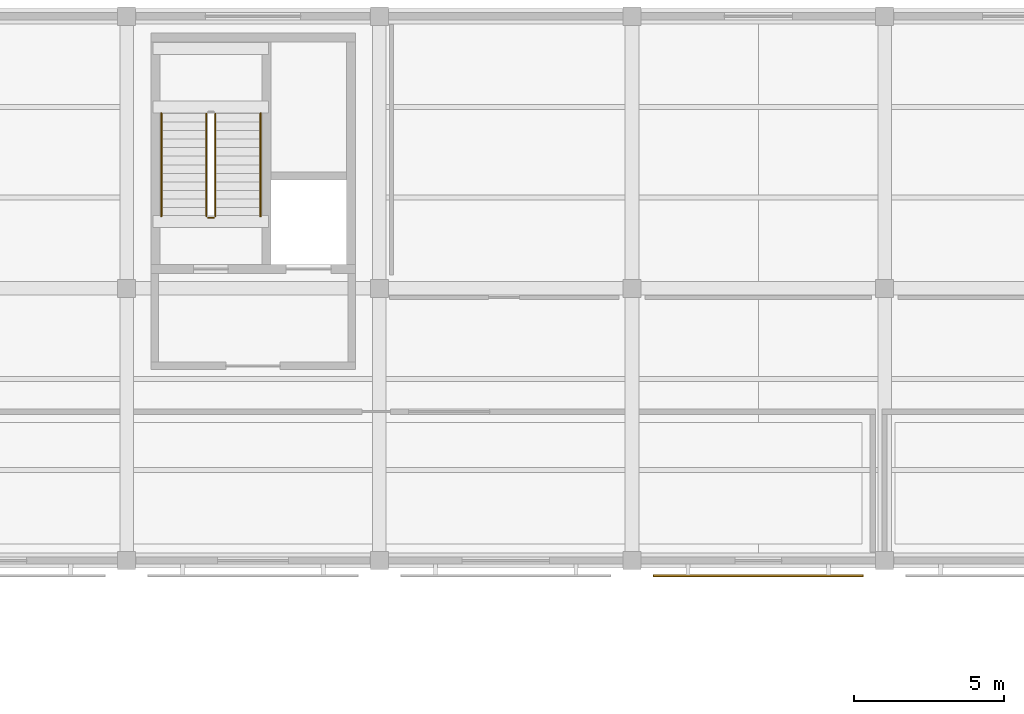
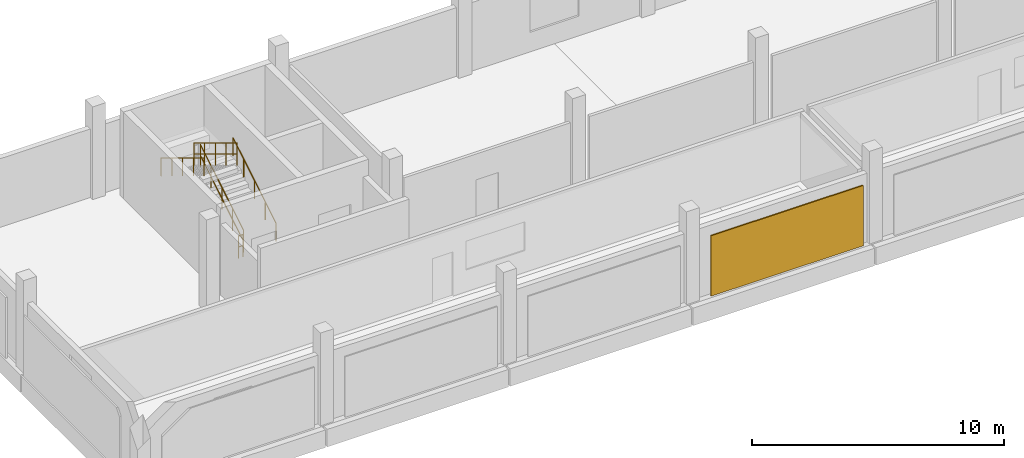
# One storey, part 31 of 34: 5 railings, 1 shading device.
"""IFC4 building model written with IfcOpenShell, lengths in metres."""

from ifc_helpers import new_model, si_unit, direction, frame, origin, origin_2d, place, context, subcontext, project, spatial, rectangle, circle, extrude, material, layer, layer_set, type_object, element, save


model = new_model("IFC4")

# Units and contexts
model_context = context("Model", 3, precision=1e-05, world=origin(), true_north=direction((0.0, 1.0)))
body_context = subcontext(model_context, "Body", "Model", "MODEL_VIEW")
ifc_project = project(units=[si_unit("LENGTHUNIT", "METRE"), si_unit("AREAUNIT", "SQUARE_METRE"), si_unit("VOLUMEUNIT", "CUBIC_METRE"), si_unit("PLANEANGLEUNIT", "RADIAN"), si_unit("MASSUNIT", "GRAM", prefix="KILO")], contexts=[model_context])

# Site, building, storey
site_placement = place(None, origin())
site = spatial("IfcSite", under=ifc_project, at=site_placement, CompositionType="ELEMENT")
building_placement = place(site_placement, origin())
building = spatial("IfcBuilding", under=site, at=building_placement, Name="Khurvash Pelagic Aquarium", CompositionType="ELEMENT")
storey_placement = place(building_placement, frame((0.0, 0.0, 15.60009765625)))
storey = spatial("IfcBuildingStorey", under=building, at=storey_placement, Name="L03", CompositionType="ELEMENT", Elevation=15.60009765625)

# Railings
ifc_material_1 = material(Name="Powder-coated galvanised steel S355J2", Category="steel")
railing_type_1 = type_object("IfcRailingType", Name="GR-01", PredefinedType="GUARDRAIL", material=ifc_material_1)
railing_1_placement = place(storey_placement, frame((70.14990234375, 95.5, 0.173095703125)))
element("IfcRailing", 1, at=railing_1_placement, inside=storey, type_object=railing_type_1, Name="L03 ST-04 stair guard 1", PredefinedType="GUARDRAIL", context=body_context, shape_type="SweptSolid", body=[
    extrude(circle(Radius=0.02392578125, at=origin_2d()), frame((0.0, 0.0, 1.076171875), z_axis=(0.0, 0.854729506542, 0.519073665916), x_axis=(-1.0, 0.0, 0.0)), (0.0, 0.0, 1.0), 4.001220703125),
    extrude(circle(Radius=0.02392578125, at=origin_2d()), frame((0.0, 0.0, 0.5380859375), z_axis=(0.0, 0.854729506542, 0.519073665916), x_axis=(-1.0, 0.0, 0.0)), (0.0, 0.0, 1.0), 4.001220703125),
    extrude(circle(Radius=0.02099609375, at=origin_2d()), origin(), (0.0, 0.0, 1.0), 1.052001953125),
    extrude(circle(Radius=0.02099609375, at=origin_2d()), frame((0.0, 0.85498046875, 0.519287109375)), (0.0, 0.0, 1.0), 1.052001953125),
    extrude(circle(Radius=0.02099609375, at=origin_2d()), frame((0.0, 1.7099609375, 1.03857421875)), (0.0, 0.0, 1.0), 1.052001953125),
    extrude(circle(Radius=0.02099609375, at=origin_2d()), frame((0.0, 2.56494140625, 1.5576171875)), (0.0, 0.0, 1.0), 1.052001953125),
    extrude(circle(Radius=0.02099609375, at=origin_2d()), frame((0.0, 3.419921875, 2.076904296875)), (0.0, 0.0, 1.0), 1.052001953125),
])
railing_2_placement = place(storey_placement, frame((69.85009765625, 98.919921875, 2.423095703125)))
element("IfcRailing", 2, at=railing_2_placement, inside=storey, type_object=railing_type_1, Name="L03 ST-04 stair guard 3", PredefinedType="GUARDRAIL", context=body_context, shape_type="SweptSolid", body=[
    extrude(circle(Radius=0.02392578125, at=origin_2d()), frame((0.0, 0.0, 1.076171875), z_axis=(0.0, -0.854729506542, 0.519073665916), x_axis=(1.0, 0.0, 0.0)), (0.0, 0.0, 1.0), 4.001220703125),
    extrude(circle(Radius=0.02392578125, at=origin_2d()), frame((0.0, 0.0, 0.5380859375), z_axis=(0.0, -0.854729506542, 0.519073665916), x_axis=(1.0, 0.0, 0.0)), (0.0, 0.0, 1.0), 4.001220703125),
    extrude(circle(Radius=0.02099609375, at=origin_2d()), origin(), (0.0, 0.0, 1.0), 1.052001953125),
    extrude(circle(Radius=0.02099609375, at=origin_2d()), frame((0.0, -0.85498046875, 0.519287109375)), (0.0, 0.0, 1.0), 1.052001953125),
    extrude(circle(Radius=0.02099609375, at=origin_2d()), frame((0.0, -1.7099609375, 1.03857421875)), (0.0, 0.0, 1.0), 1.052001953125),
    extrude(circle(Radius=0.02099609375, at=origin_2d()), frame((0.0, -2.56494140625, 1.5576171875)), (0.0, 0.0, 1.0), 1.052001953125),
    extrude(circle(Radius=0.02099609375, at=origin_2d()), frame((0.0, -3.419921875, 2.076904296875)), (0.0, 0.0, 1.0), 1.052001953125),
])
railing_3_placement = place(storey_placement, frame((70.10009765625, 95.449951171875, 0.0)))
element("IfcRailing", 3, at=railing_3_placement, inside=storey, type_object=railing_type_1, Name="L03 ST-04 stair guard 4", PredefinedType="GUARDRAIL", context=body_context, shape_type="SweptSolid", body=[
    extrude(circle(Radius=0.02392578125, at=origin_2d()), frame((0.0, 0.0, 1.076171875), z_axis=(-1.0, 0.0, 0.0), x_axis=(0.0, -1.0, 0.0)), (0.0, 0.0, 1.0), 0.2001953125),
    extrude(circle(Radius=0.02392578125, at=origin_2d()), frame((0.0, 0.0, 0.5380859375), z_axis=(-1.0, 0.0, 0.0), x_axis=(0.0, -1.0, 0.0)), (0.0, 0.0, 1.0), 0.2001953125),
    extrude(circle(Radius=0.02099609375, at=origin_2d()), origin(), (0.0, 0.0, 1.0), 1.052001953125),
    extrude(circle(Radius=0.02099609375, at=origin_2d()), frame((-0.2001953125, 0.0, 0.0)), (0.0, 0.0, 1.0), 1.052001953125),
])
ifc_material_2 = material(Name="Brushed stainless steel 316", Category="steel")
railing_type_2 = type_object("IfcRailingType", Name="HR-01", PredefinedType="HANDRAIL", material=ifc_material_2)
railing_4_placement = place(storey_placement, frame((71.64990234375, 95.5, 0.173095703125)))
element("IfcRailing", 4, at=railing_4_placement, inside=storey, type_object=railing_type_2, Name="L03 ST-04 stair handrail 1", PredefinedType="HANDRAIL", context=body_context, shape_type="SweptSolid", body=[
    extrude(circle(Radius=0.02392578125, at=origin_2d()), frame((0.0, 0.0, 0.8759765625), z_axis=(0.0, 0.854729506542, 0.519073665916), x_axis=(-1.0, 0.0, 0.0)), (0.0, 0.0, 1.0), 4.001220703125),
    extrude(circle(Radius=0.02099609375, at=origin_2d()), origin(), (0.0, 0.0, 1.0), 0.851806640625),
    extrude(circle(Radius=0.02099609375, at=origin_2d()), frame((0.0, 0.85498046875, 0.519287109375)), (0.0, 0.0, 1.0), 0.851806640625),
    extrude(circle(Radius=0.02099609375, at=origin_2d()), frame((0.0, 1.7099609375, 1.03857421875)), (0.0, 0.0, 1.0), 0.851806640625),
    extrude(circle(Radius=0.02099609375, at=origin_2d()), frame((0.0, 2.56494140625, 1.5576171875)), (0.0, 0.0, 1.0), 0.851806640625),
    extrude(circle(Radius=0.02099609375, at=origin_2d()), frame((0.0, 3.419921875, 2.076904296875)), (0.0, 0.0, 1.0), 0.851806640625),
])
railing_5_placement = place(storey_placement, frame((68.35009765625, 98.919921875, 2.423095703125)))
element("IfcRailing", 5, at=railing_5_placement, inside=storey, type_object=railing_type_2, Name="L03 ST-04 stair handrail 2", PredefinedType="HANDRAIL", context=body_context, shape_type="SweptSolid", body=[
    extrude(circle(Radius=0.02392578125, at=origin_2d()), frame((0.0, 0.0, 0.8759765625), z_axis=(0.0, -0.854729506542, 0.519073665916), x_axis=(1.0, 0.0, 0.0)), (0.0, 0.0, 1.0), 4.001220703125),
    extrude(circle(Radius=0.02099609375, at=origin_2d()), origin(), (0.0, 0.0, 1.0), 0.851806640625),
    extrude(circle(Radius=0.02099609375, at=origin_2d()), frame((0.0, -0.85498046875, 0.519287109375)), (0.0, 0.0, 1.0), 0.851806640625),
    extrude(circle(Radius=0.02099609375, at=origin_2d()), frame((0.0, -1.7099609375, 1.03857421875)), (0.0, 0.0, 1.0), 0.851806640625),
    extrude(circle(Radius=0.02099609375, at=origin_2d()), frame((0.0, -2.56494140625, 1.5576171875)), (0.0, 0.0, 1.0), 0.851806640625),
    extrude(circle(Radius=0.02099609375, at=origin_2d()), frame((0.0, -3.419921875, 2.076904296875)), (0.0, 0.0, 1.0), 0.851806640625),
])

# Shading device
ifc_material_3 = material(Name="Perforated anodised aluminium AW-5005", Category="aluminium")
ifc_layer = layer(ifc_material_3, 0.06005859375)
ifc_layer_set = layer_set([ifc_layer], Name="Perforated anodised aluminium AW-5005")
shading_device_type = type_object("IfcShadingDeviceType", Name="SH-JAL", PredefinedType="JALOUSIE", material=ifc_layer_set)
shading_device_placement = place(storey_placement, frame((88.199951171875, 83.550048828125, 0.19970703125), z_axis=(0.0, 0.0, 1.0), x_axis=(1.0, 0.0, 0.0)))
element("IfcShadingDevice", 6, at=shading_device_placement, inside=storey, type_object=shading_device_type, Name="L03 Perforated Aluminium Jali Screen SH-JAL 0052", PredefinedType="JALOUSIE", context=body_context, shape_type="SweptSolid", body=[
    extrude(rectangle(XDim=6.989990234375, YDim=0.06005859375, at=origin_2d()), origin(), (0.0, 0.0, 1.0), 2.929931640625),
])

save(model, "model.ifc")
